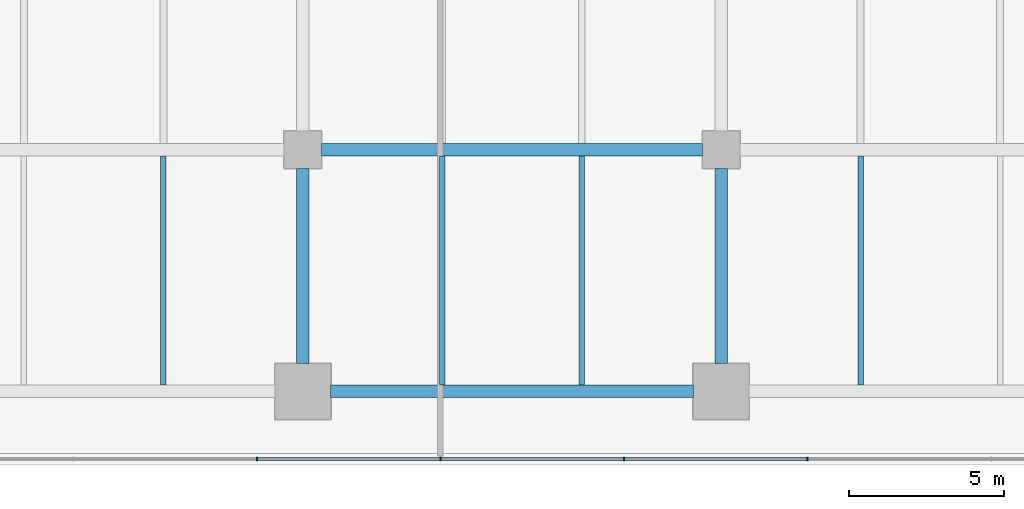
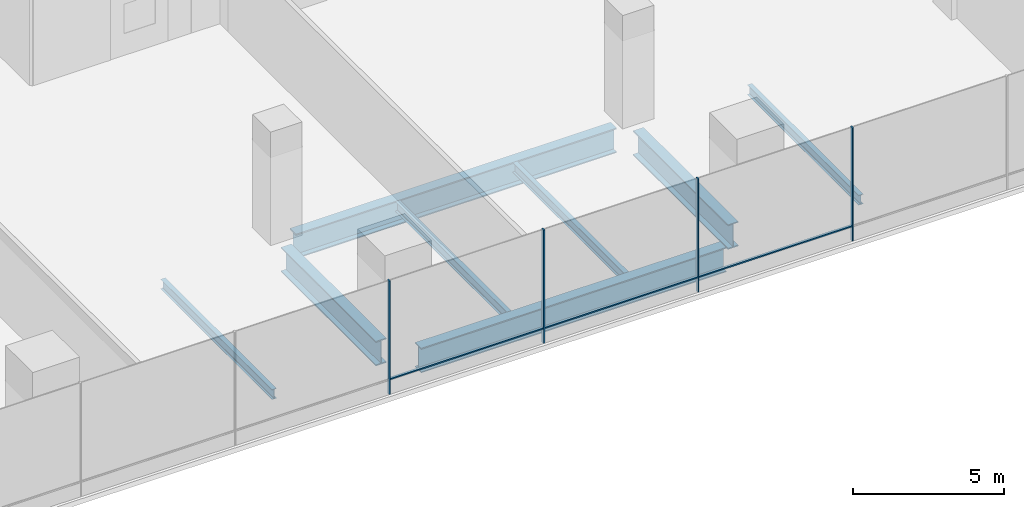
# One storey, part 6 of 28: 8 beams, 7 members, 1 element without a shape of its own.
"""IFC4 building model written with IfcOpenShell, lengths in metres."""

import ifcopenshell
import ifcopenshell.guid

model = None  # the IFC model being written
_history = None  # IfcOwnerHistory: only IFC2X3 demands one
_inside = {}  # id of a spatial element -> (the spatial element, [elements in it])
_under = {}  # id of a project, library or spatial element -> (it, [spatial elements below it])
_declared = {}  # id of a project -> (the project, [libraries it declares])
_typed = {}  # id of a type object -> (the type object, [elements of that type])
_made_of = {}  # id of a material, layer set ... -> (it, [elements and type objects made of it])


def new_model(schema):
    """Start an empty IFC model of exactly this schema.

    Asked for "IFC4X3", IfcOpenShell would pick the latest addendum, in which some entities
    have other attributes; the version numbers below select the first issue.
    IFC2X3 requires an IfcOwnerHistory on every rooted entity: one is made here for all.
    """
    global model, _history
    if schema == "IFC4X3":
        model = ifcopenshell.file(schema_version=(4, 3, 0, 0))
    else:
        model = ifcopenshell.file(schema=schema)
    _inside.clear()
    _under.clear()
    _declared.clear()
    _typed.clear()
    _made_of.clear()
    _history = None
    if model.schema == "IFC2X3":
        org = make("IfcOrganization", Name="unknown")
        user = make(
            "IfcPersonAndOrganization",
            ThePerson=make("IfcPerson", FamilyName="unknown"),
            TheOrganization=org,
        )
        app = make(
            "IfcApplication",
            ApplicationDeveloper=org,
            Version="unknown",
            ApplicationFullName="unknown",
            ApplicationIdentifier="unknown",
        )
        _history = make(
            "IfcOwnerHistory",
            OwningUser=user,
            OwningApplication=app,
            ChangeAction="ADDED",
            CreationDate=0,
        )
    return model


def make(cls, **values):
    """One entity of the class cls with the attributes given. An attribute that is None is left unset."""
    return model.create_entity(
        cls, **{name: value for name, value in values.items() if value is not None}
    )


def rooted(cls, **values):
    """An entity with a GlobalId (a new one), such as an element, a storey or a relation."""
    return make(cls, GlobalId=ifcopenshell.guid.new(), OwnerHistory=_history, **values)


def si_unit(unit_type, name, prefix=None):
    """IfcSIUnit, for example si_unit("LENGTHUNIT", "METRE", prefix="MILLI")."""
    return make("IfcSIUnit", UnitType=unit_type, Prefix=prefix, Name=name)


def assignment(units):
    """IfcUnitAssignment: the units of a project."""
    return None if units is None else make("IfcUnitAssignment", Units=units)


def point(xyz):
    """IfcCartesianPoint."""
    return None if xyz is None else make("IfcCartesianPoint", Coordinates=xyz)


def direction(xyz):
    """IfcDirection."""
    return None if xyz is None else make("IfcDirection", DirectionRatios=xyz)


def frame(location, z_axis=None, x_axis=None):
    """IfcAxis2Placement3D, a coordinate frame: its origin and axes. An axis left out is left unset."""
    return make(
        "IfcAxis2Placement3D",
        Location=point(location),
        Axis=direction(z_axis),
        RefDirection=direction(x_axis),
    )


def frame_2d(location, x_axis=None):
    """IfcAxis2Placement2D, a coordinate frame in the plane: its origin and x axis."""
    return make(
        "IfcAxis2Placement2D", Location=point(location), RefDirection=direction(x_axis)
    )


def origin():
    """The frame at (0, 0, 0) with its axes left unset."""
    return frame((0.0, 0.0, 0.0))


def origin_2d():
    """The frame at (0, 0) in the plane with its x axis left unset."""
    return frame_2d((0.0, 0.0))


def place(relative_to, where):
    """IfcLocalPlacement: puts the frame where relative to a parent placement (None: the world)."""
    return make(
        "IfcLocalPlacement", PlacementRelTo=relative_to, RelativePlacement=where
    )


def context(
    kind, dimensions, precision=None, world=None, true_north=None, identifier=None
):
    """IfcGeometricRepresentationContext, for example the 3D "Model" context."""
    return make(
        "IfcGeometricRepresentationContext",
        ContextIdentifier=identifier,
        ContextType=kind,
        CoordinateSpaceDimension=dimensions,
        Precision=precision,
        WorldCoordinateSystem=world,
        TrueNorth=true_north,
    )


def subcontext(parent, identifier, kind, view, scale=None):
    """IfcGeometricRepresentationSubContext, for example "Body" below "Model"."""
    return make(
        "IfcGeometricRepresentationSubContext",
        ContextIdentifier=identifier,
        ContextType=kind,
        ParentContext=parent,
        TargetScale=scale,
        TargetView=view,
    )


def project(units=None, contexts=None):
    """IfcProject with its units and contexts."""
    return rooted(
        "IfcProject",
        Name="project",
        RepresentationContexts=contexts,
        UnitsInContext=assignment(units),
    )


def spatial(cls, under=None, at=None, **own):
    """A site, building, storey or space (cls), placed at a placement, below another one or the project."""
    s = rooted(cls, ObjectPlacement=at, **own)
    if under is not None:
        _under.setdefault(under.id(), (under, []))[1].append(s)
    return s


def profile(cls, at=None, kind="AREA", **sizes):
    """A parametric profile (cls). Its sizes go by their IFC names, for example OverallWidth=200.0."""
    return make(cls, ProfileType=kind, Position=at, **sizes)


def rectangle(**sizes):
    """IfcRectangleProfileDef."""
    return profile("IfcRectangleProfileDef", **sizes)


def i_section(**sizes):
    """IfcIShapeProfileDef."""
    return profile("IfcIShapeProfileDef", **sizes)


def extrude(swept, where, along, depth):
    """IfcExtrudedAreaSolid: the profile swept, set in the frame where, extruded along a direction by depth."""
    return make(
        "IfcExtrudedAreaSolid",
        SweptArea=swept,
        Position=where,
        ExtrudedDirection=direction(along),
        Depth=depth,
    )


def shape(context_of_items, identifier, shape_type, items):
    """IfcShapeRepresentation: the items that make up one representation, for example the "Body"."""
    return make(
        "IfcShapeRepresentation",
        ContextOfItems=context_of_items,
        RepresentationIdentifier=identifier,
        RepresentationType=shape_type,
        Items=items,
    )


def material(Name=None, Category=None):
    """IfcMaterial."""
    return make("IfcMaterial", Name=Name, Category=Category)


def layer(
    of_material, thickness, ventilated=None, Name=None, Category=None, Priority=None
):
    """IfcMaterialLayer: one layer of a wall or slab, of a material (None: an air gap)."""
    return make(
        "IfcMaterialLayer",
        Material=of_material,
        LayerThickness=thickness,
        IsVentilated=ventilated,
        Name=Name,
        Category=Category,
        Priority=Priority,
    )


def layer_set(layers, Name=None):
    """IfcMaterialLayerSet."""
    return make("IfcMaterialLayerSet", MaterialLayers=layers, LayerSetName=Name)


def material_profile(
    of_material, cross_section, Name=None, Category=None, Priority=None
):
    """IfcMaterialProfile: a cross section and its material."""
    return make(
        "IfcMaterialProfile",
        Name=Name,
        Material=of_material,
        Profile=cross_section,
        Priority=Priority,
        Category=Category,
    )


def profile_set(profiles, Name=None, composite=None):
    """IfcMaterialProfileSet."""
    return make(
        "IfcMaterialProfileSet",
        Name=Name,
        MaterialProfiles=profiles,
        CompositeProfile=composite,
    )


def made_of(thing, what):
    """Note that an element or type object is made of a material, layer set ...; save() writes the relation."""
    if what is not None:
        _made_of.setdefault(what.id(), (what, []))[1].append(thing)
    return thing


def type_object(cls, material=None, **own):
    """A type object (cls), such as IfcWallType, which elements share."""
    return made_of(rooted(cls, **own), material)


def element(
    cls,
    number,
    at=None,
    inside=None,
    cuts=None,
    type_object=None,
    material=None,
    context=None,
    identifier="Body",
    shape_type=None,
    held_by="IfcProductDefinitionShape",
    body=None,
    shapes=None,
    **own,
):
    """One element of the class cls, such as IfcWall. Its Tag is "e" and its number.

    at: its placement. inside: the storey or other place that contains it. cuts: it is an
    opening in that element (IfcRelVoidsElement). A single representation is given by context,
    identifier, shape_type and body (its items); several are given by shapes. held_by: the class
    of the entity that holds the representations. save() writes the other relations.
    """
    e = rooted(cls, Tag="e%d" % number, ObjectPlacement=at, **own)
    if body is not None:
        shapes = [shape(context, identifier, shape_type, body)]
    if shapes is not None:
        e.Representation = make(held_by, Representations=shapes)
    if inside is not None:
        _inside.setdefault(inside.id(), (inside, []))[1].append(e)
    if cuts is not None:
        rooted(
            "IfcRelVoidsElement", RelatingBuildingElement=cuts, RelatedOpeningElement=e
        )
    if type_object is not None:
        _typed.setdefault(type_object.id(), (type_object, []))[1].append(e)
    return made_of(e, material)


def aggregate(whole, parts):
    """IfcRelAggregates: a whole, such as a stair, and the parts it consists of."""
    return rooted("IfcRelAggregates", RelatingObject=whole, RelatedObjects=parts)


def save(model, path):
    """Write the relations noted so far, then the file.

    IfcRelAggregates (storeys below a building ...), IfcRelContainedInSpatialStructure (elements
    in a storey), IfcRelDefinesByType, IfcRelAssociatesMaterial and IfcRelDeclares: one each for
    every whole, place, type object, material and project.
    """
    for whole, parts in _under.values():
        aggregate(whole, parts)
    for where, things in _inside.values():
        rooted(
            "IfcRelContainedInSpatialStructure",
            RelatedElements=things,
            RelatingStructure=where,
        )
    for kind, things in _typed.values():
        rooted("IfcRelDefinesByType", RelatedObjects=things, RelatingType=kind)
    for what, things in _made_of.values():
        rooted("IfcRelAssociatesMaterial", RelatedObjects=things, RelatingMaterial=what)
    for by, libraries in _declared.values():
        rooted("IfcRelDeclares", RelatingContext=by, RelatedDefinitions=libraries)
    model.write(path)


model = new_model("IFC4")

# Units and contexts
model_context = context("Model", 3, precision=1e-05, world=origin(), true_north=direction((0.0, 1.0)))
body_context = subcontext(model_context, "Body", "Model", "MODEL_VIEW")
ifc_project = project(units=[si_unit("LENGTHUNIT", "METRE"), si_unit("AREAUNIT", "SQUARE_METRE"), si_unit("VOLUMEUNIT", "CUBIC_METRE"), si_unit("PLANEANGLEUNIT", "RADIAN"), si_unit("MASSUNIT", "GRAM", prefix="KILO")], contexts=[model_context])

# Site, building, storey
site_placement = place(None, origin())
site = spatial("IfcSite", under=ifc_project, at=site_placement, CompositionType="ELEMENT")
building_placement = place(site_placement, origin())
building = spatial("IfcBuilding", under=site, at=building_placement, Name="Rattan Terrace Tower", CompositionType="ELEMENT")
storey_placement = place(building_placement, frame((0.0, 0.0, 17.39990234375)))
storey = spatial("IfcBuildingStorey", under=building, at=storey_placement, Name="L03", CompositionType="ELEMENT", Elevation=17.39990234375)

# Beams
ifc_material_1 = material(Name="Steel S355", Category="steel")
ifc_material_profile_1 = material_profile(ifc_material_1, i_section(OverallWidth=0.179931640625, OverallDepth=0.39990234375, WebThickness=0.008544921875, FlangeThickness=0.013427734375, FilletRadius=0.02099609375, at=origin_2d()), Name="IPE 400")
ifc_profile_set_1 = profile_set([ifc_material_profile_1], Name="Steel S355")
beam_type_1 = type_object("IfcBeamType", Name="Frame floor beam IPE 400", PredefinedType="JOIST", material=ifc_profile_set_1)
for number, where, z_axis, x_axis, name in (
    (1, (-4.5, -34.699951171875, -0.39990234375), (0.0, 1.0, 0.0), (-1.0, 0.0, 0.0), "bm-L03-007"),
    (2, (4.5, -34.699951171875, -0.39990234375), (0.0, 1.0, 0.0), (-1.0, 0.0, 0.0), "bm-L03-008"),
    (3, (9.0, -34.699951171875, -0.39990234375), (0.0, 1.0, 0.0), (-1.0, 0.0, 0.0), "bm-L03-009"),
    (4, (18.0, -34.699951171875, -0.39990234375), (0.0, 1.0, 0.0), (-1.0, 0.0, 0.0), "bm-L03-010"),
):
    element("IfcBeam", number, at=place(storey_placement, frame(where, z_axis=z_axis, x_axis=x_axis)), inside=storey, type_object=beam_type_1, Name=name, PredefinedType="JOIST", context=body_context, shape_type="SweptSolid", body=[
        extrude(i_section(OverallWidth=0.179931640625, OverallDepth=0.39990234375, WebThickness=0.008544921875, FlangeThickness=0.013427734375, FilletRadius=0.02099609375, at=origin_2d()), origin(), (0.0, 0.0, 1.0), 7.39990234375),
    ])
ifc_material_2 = material(Name="Steel S460", Category="steel")
ifc_material_profile_2 = material_profile(ifc_material_2, i_section(OverallWidth=0.39990234375, OverallDepth=1.0, WebThickness=0.01806640625, FlangeThickness=0.044921875, at=origin_2d()), Name="PG 1000x400-18-45")
ifc_profile_set_2 = profile_set([ifc_material_profile_2], Name="Steel S460")
beam_type_2 = type_object("IfcBeamType", Name="Frame podium girder PG 1000x400-18-45", PredefinedType="USERDEFINED", material=ifc_profile_set_2)
beam_1_placement = place(storey_placement, frame((0.89990234375, -34.89990234375, -0.699951171875), z_axis=(1.0, 0.0, 0.0), x_axis=(0.0, 1.0, 0.0)))
element("IfcBeam", 5, at=beam_1_placement, inside=storey, type_object=beam_type_2, Name="gdr-L03-004", ObjectType="PODIUM GIRDER", PredefinedType="USERDEFINED", context=body_context, shape_type="SweptSolid", body=[
    extrude(i_section(OverallWidth=0.39990234375, OverallDepth=1.0, WebThickness=0.01806640625, FlangeThickness=0.044921875, at=origin_2d()), origin(), (0.0, 0.0, 1.0), 11.7001953125),
])
for number, where, z_axis, x_axis, name in (
    (6, (0.0, -34.0, -0.699951171875), (0.0, 1.0, 0.0), (-1.0, 0.0, 0.0), "gdr-L03-010"),
    (7, (13.5, -34.0, -0.699951171875), (0.0, 1.0, 0.0), (-1.0, 0.0, 0.0), "gdr-L03-011"),
):
    element("IfcBeam", number, at=place(storey_placement, frame(where, z_axis=z_axis, x_axis=x_axis)), inside=storey, type_object=beam_type_2, Name=name, ObjectType="PODIUM GIRDER", PredefinedType="USERDEFINED", context=body_context, shape_type="SweptSolid", body=[
        extrude(i_section(OverallWidth=0.39990234375, OverallDepth=1.0, WebThickness=0.01806640625, FlangeThickness=0.044921875, at=origin_2d()), origin(), (0.0, 0.0, 1.0), 6.300048828125),
    ])
beam_2_placement = place(storey_placement, frame((0.60009765625, -27.10009765625, -0.699951171875), z_axis=(1.0, 0.0, 0.0), x_axis=(0.0, 1.0, 0.0)))
element("IfcBeam", 8, at=beam_2_placement, inside=storey, type_object=beam_type_2, Name="gdr-L03-017", ObjectType="PODIUM GIRDER", PredefinedType="USERDEFINED", context=body_context, shape_type="SweptSolid", body=[
    extrude(i_section(OverallWidth=0.39990234375, OverallDepth=1.0, WebThickness=0.01806640625, FlangeThickness=0.044921875, at=origin_2d()), origin(), (0.0, 0.0, 1.0), 12.2998046875),
])

# Curtain wall, members
ifc_material_3 = material(Name="Aluminium and glass", Category="aluminium")
ifc_layer = layer(ifc_material_3, 0.1201171875)
ifc_layer_set = layer_set([ifc_layer], Name="Station Storefront Curtain Wall")
curtain_wall_type = type_object("IfcCurtainWallType", Name="Station Storefront Curtain Wall", PredefinedType="NOTDEFINED", material=ifc_layer_set)
curtain_wall_placement = place(storey_placement, origin())
curtain_wall = element("IfcCurtainWall", 9, at=curtain_wall_placement, inside=storey, type_object=curtain_wall_type, Name="Storefront curtain wall L03-4", PredefinedType="NOTDEFINED")
ifc_material_4 = material(Name="Aluminium", Category="aluminium")
ifc_material_profile_3 = material_profile(ifc_material_4, rectangle(XDim=0.050048828125, YDim=0.1201171875, at=origin_2d()), Name="Aluminium 50x120")
ifc_profile_set_3 = profile_set([ifc_material_profile_3], Name="Aluminium")
member_type_1 = type_object("IfcMemberType", Name="Storefront CW Mullion 50x120", PredefinedType="MULLION", material=ifc_profile_set_3)
member_1_placement = place(storey_placement, frame((-1.47998046875, -37.080078125, 0.0), z_axis=(0.0, 0.0, 1.0), x_axis=(1.0, 0.0, 0.0)))
member_1 = element("IfcMember", 10, at=member_1_placement, type_object=member_type_1, Name="Mullion cwl-L03-004.7", PredefinedType="MULLION", context=body_context, shape_type="SweptSolid", body=[
    extrude(rectangle(XDim=0.050048828125, YDim=0.1201171875, at=origin_2d()), origin(), (0.0, 0.0, 1.0), 4.60009765625),
])
member_2_placement = place(storey_placement, frame((4.43994140625, -37.080078125, 0.0), z_axis=(0.0, 0.0, 1.0), x_axis=(1.0, 0.0, 0.0)))
member_2 = element("IfcMember", 11, at=member_2_placement, type_object=member_type_1, Name="Mullion cwl-L03-004.8", PredefinedType="MULLION", context=body_context, shape_type="SweptSolid", body=[
    extrude(rectangle(XDim=0.050048828125, YDim=0.1201171875, at=origin_2d()), origin(), (0.0, 0.0, 1.0), 4.60009765625),
])
member_3_placement = place(storey_placement, frame((10.360107421875, -37.080078125, 0.0), z_axis=(0.0, 0.0, 1.0), x_axis=(1.0, 0.0, 0.0)))
member_3 = element("IfcMember", 12, at=member_3_placement, type_object=member_type_1, Name="Mullion cwl-L03-004.9", PredefinedType="MULLION", context=body_context, shape_type="SweptSolid", body=[
    extrude(rectangle(XDim=0.050048828125, YDim=0.1201171875, at=origin_2d()), origin(), (0.0, 0.0, 1.0), 4.60009765625),
])
member_4_placement = place(storey_placement, frame((16.280029296875, -37.080078125, 0.0), z_axis=(0.0, 0.0, 1.0), x_axis=(1.0, 0.0, 0.0)))
member_4 = element("IfcMember", 13, at=member_4_placement, type_object=member_type_1, Name="Mullion cwl-L03-004.10", PredefinedType="MULLION", context=body_context, shape_type="SweptSolid", body=[
    extrude(rectangle(XDim=0.050048828125, YDim=0.1201171875, at=origin_2d()), origin(), (0.0, 0.0, 1.0), 4.60009765625),
])
ifc_material_5 = material(Name="Aluminium", Category="aluminium")
ifc_material_profile_4 = material_profile(ifc_material_5, rectangle(XDim=0.10009765625, YDim=0.050048828125, at=origin_2d()), Name="Aluminium 100x50")
ifc_profile_set_4 = profile_set([ifc_material_profile_4], Name="Aluminium")
member_type_2 = type_object("IfcMemberType", Name="Storefront CW Transom 100x50", PredefinedType="USERDEFINED", material=ifc_profile_set_4)
member_5_placement = place(storey_placement, frame((-1.455078125, -37.080078125, 0.60009765625), z_axis=(1.0, 0.0, 0.0), x_axis=(0.0, 1.0, 0.0)))
member_5 = element("IfcMember", 14, at=member_5_placement, type_object=member_type_2, Name="Transom cwl-L03-004.7", ObjectType="TRANSOM", PredefinedType="USERDEFINED", context=body_context, shape_type="SweptSolid", body=[
    extrude(rectangle(XDim=0.10009765625, YDim=0.050048828125, at=origin_2d()), origin(), (0.0, 0.0, 1.0), 5.8701171875),
])
member_6_placement = place(storey_placement, frame((4.465087890625, -37.080078125, 0.60009765625), z_axis=(1.0, 0.0, 0.0), x_axis=(0.0, 1.0, 0.0)))
member_6 = element("IfcMember", 15, at=member_6_placement, type_object=member_type_2, Name="Transom cwl-L03-004.8", ObjectType="TRANSOM", PredefinedType="USERDEFINED", context=body_context, shape_type="SweptSolid", body=[
    extrude(rectangle(XDim=0.10009765625, YDim=0.050048828125, at=origin_2d()), origin(), (0.0, 0.0, 1.0), 5.869873046875),
])
member_7_placement = place(storey_placement, frame((10.385009765625, -37.080078125, 0.60009765625), z_axis=(1.0, 0.0, 0.0), x_axis=(0.0, 1.0, 0.0)))
member_7 = element("IfcMember", 16, at=member_7_placement, type_object=member_type_2, Name="Transom cwl-L03-004.9", ObjectType="TRANSOM", PredefinedType="USERDEFINED", context=body_context, shape_type="SweptSolid", body=[
    extrude(rectangle(XDim=0.10009765625, YDim=0.050048828125, at=origin_2d()), origin(), (0.0, 0.0, 1.0), 5.869873046875),
])
aggregate(curtain_wall, [member_1, member_2, member_3, member_4, member_5, member_6, member_7])

save(model, "model.ifc")
